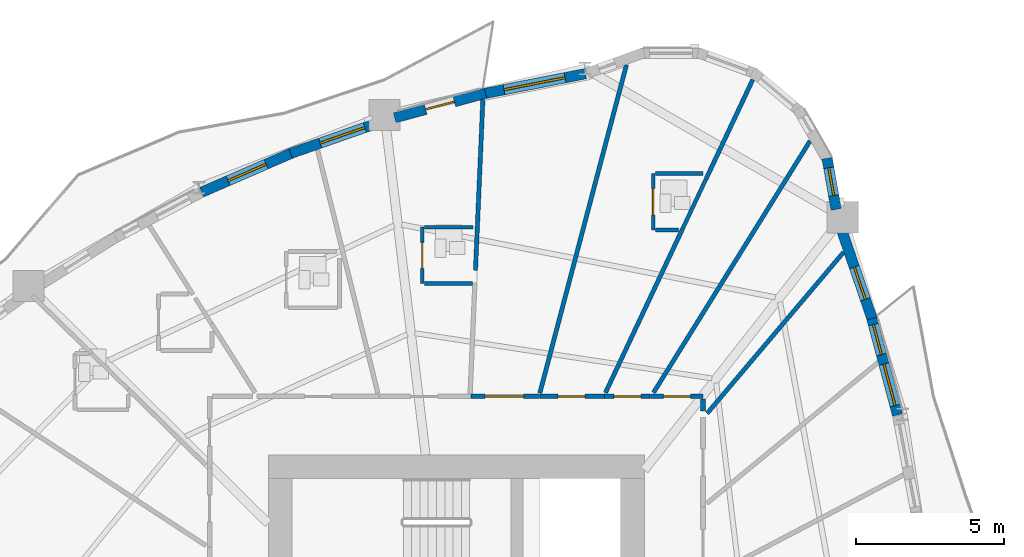
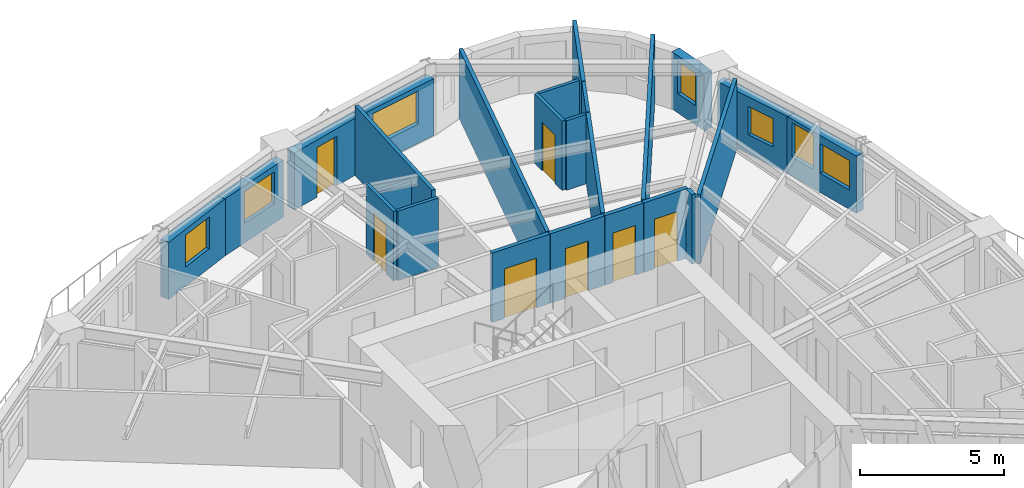
# One storey, part 9 of 14: 25 walls, 7 doors, 7 windows, 14 openings.
"""IFC4 building model written with IfcOpenShell, lengths in metres."""

from ifc_helpers import new_model, si_unit, direction, frame, frame_2d, origin, place, context, subcontext, project, spatial, rectangle, extrude, source, transform, mapped, material, layer, layer_set, type_object, element, fill, save


model = new_model("IFC4")

# Units and contexts
model_context = context("Model", 3, precision=1e-05, world=origin(), true_north=direction((0.0, 1.0)))
body_context = subcontext(model_context, "Body", "Model", "MODEL_VIEW")
ifc_project = project(units=[si_unit("LENGTHUNIT", "METRE"), si_unit("AREAUNIT", "SQUARE_METRE"), si_unit("VOLUMEUNIT", "CUBIC_METRE"), si_unit("PLANEANGLEUNIT", "RADIAN"), si_unit("MASSUNIT", "GRAM", prefix="KILO")], contexts=[model_context])

# Site, building, storey
site_placement = place(None, origin())
site = spatial("IfcSite", under=ifc_project, at=site_placement, CompositionType="ELEMENT")
building_placement = place(site_placement, origin())
building = spatial("IfcBuilding", under=site, at=building_placement, Name="Qafzar Sky-Pleat Residences", CompositionType="ELEMENT")
storey_placement = place(building_placement, frame((0.0, 0.0, 14.199951171875)))
storey = spatial("IfcBuildingStorey", under=building, at=storey_placement, Name="L03", CompositionType="ELEMENT", Elevation=14.199951171875)

# Wall, opening, door
ifc_material_1 = material(Name="Acoustic gypsum plasterboard partition", Category="gypsum")
ifc_layer_1 = layer(ifc_material_1, 0.159912109375)
ifc_layer_set_1 = layer_set([ifc_layer_1], Name="Acoustic gypsum plasterboard partition")
wall_type_1 = type_object("IfcWallType", Name="PART-COR-160", PredefinedType="PARTITIONING", material=ifc_layer_set_1)
wall_1_placement = place(storey_placement, frame((30.841064453125, 36.580078125, 0.0), z_axis=(0.0, 0.0, 1.0), x_axis=(1.0, 0.0, 0.0)))
wall_1 = element("IfcWall", 1, at=wall_1_placement, inside=storey, type_object=wall_type_1, Name="L03 Partition Wall PART-L03-PW-018", PredefinedType="PARTITIONING", context=body_context, shape_type="SweptSolid", body=[
    extrude(rectangle(XDim=2.31591796875, YDim=0.159912109375, at=frame_2d((1.157958984375, 0.0))), origin(), (0.0, 0.0, 1.0), 2.93994140625),
])
opening_1_placement = place(wall_1_placement, frame((0.485107421875, 0.0, 0.0)))
opening_1 = element("IfcOpeningElement", 2, at=opening_1_placement, cuts=wall_1, Name="Opening ID-05", PredefinedType="OPENING", context=body_context, shape_type="SweptSolid", body=[
    extrude(rectangle(XDim=1.300048828125, YDim=2.10009765625, at=frame_2d((0.64990234375, 1.050048828125))), frame((0.0, 0.08984375, 0.0), z_axis=(0.0, -1.0, 0.0), x_axis=(1.0, 0.0, 0.0)), (0.0, 0.0, 1.0), 0.179931640625),
])
ifc_material_2 = material(Name="Timber-faced fire door", Category="wood")
door_type_1 = type_object("IfcDoorType", Name="DR-LNG-1300", OperationType="DOUBLE_DOOR_SINGLE_SWING", PredefinedType="DOOR", material=ifc_material_2)
shared_shape_1 = source(origin(), body_context, "Body", "SweptSolid", [
    extrude(rectangle(XDim=1.300048828125, YDim=2.10009765625, at=frame_2d((0.64990234375, 1.050048828125))), frame((0.0, 0.02490234375, 0.0), z_axis=(0.0, -1.0, 0.0), x_axis=(1.0, 0.0, 0.0)), (0.0, 0.0, 1.0), 0.050048828125),
])
door_1_placement = place(opening_1_placement, origin())
door_1 = element("IfcDoor", 3, at=door_1_placement, inside=storey, type_object=door_type_1, Name="L03 Communal Kitchen Door", OperationType="DOUBLE_DOOR_SINGLE_SWING", OverallHeight=2.10009765625, OverallWidth=1.300048828125, PredefinedType="DOOR", context=body_context, shape_type="MappedRepresentation", body=[
    mapped(shared_shape_1, transform((0.0, 0.0, 0.0), x_axis=(1.0, 0.0, 0.0), y_axis=(0.0, 1.0, 0.0), z_axis=(0.0, 0.0, 1.0), scale=1.0)),
])
fill(opening_1, door_1)

wall_2_placement = place(storey_placement, frame((33.172119140625, 36.580078125, 0.0), z_axis=(0.0, 0.0, 1.0), x_axis=(1.0, 0.0, 0.0)))
wall_2 = element("IfcWall", 4, at=wall_2_placement, inside=storey, type_object=wall_type_1, Name="L03 Partition Wall PART-L03-PW-020", PredefinedType="PARTITIONING", context=body_context, shape_type="SweptSolid", body=[
    extrude(rectangle(XDim=2.1728515625, YDim=0.159912109375, at=frame_2d((1.08642578125, 0.0))), origin(), (0.0, 0.0, 1.0), 2.93994140625),
])
opening_2_placement = place(wall_2_placement, frame((0.60302734375, 0.0, 0.0)))
opening_2 = element("IfcOpeningElement", 5, at=opening_2_placement, cuts=wall_2, Name="Opening ID-04", PredefinedType="OPENING", context=body_context, shape_type="SweptSolid", body=[
    extrude(rectangle(XDim=0.919921875, YDim=2.10009765625, at=frame_2d((0.4599609375, 1.050048828125))), frame((0.0, 0.08984375, 0.0), z_axis=(0.0, -1.0, 0.0), x_axis=(1.0, 0.0, 0.0)), (0.0, 0.0, 1.0), 0.179931640625),
])
door_type_2 = type_object("IfcDoorType", Name="DR-BED-920", OperationType="NOTDEFINED", PredefinedType="DOOR", material=ifc_material_2)
shared_shape_2 = source(origin(), body_context, "Body", "SweptSolid", [
    extrude(rectangle(XDim=0.919921875, YDim=2.10009765625, at=frame_2d((0.4599609375, 1.050048828125))), frame((0.0, 0.02490234375, 0.0), z_axis=(0.0, -1.0, 0.0), x_axis=(1.0, 0.0, 0.0)), (0.0, 0.0, 1.0), 0.050048828125),
])
door_2_placement = place(opening_2_placement, origin())
door_2 = element("IfcDoor", 6, at=door_2_placement, inside=storey, type_object=door_type_2, Name="L03 Co-Living Bedroom 7 Door", OperationType="SINGLE_SWING_RIGHT", OverallHeight=2.10009765625, OverallWidth=0.919921875, PredefinedType="DOOR", context=body_context, shape_type="MappedRepresentation", body=[
    mapped(shared_shape_2, transform((0.0, 0.0, 0.0), x_axis=(1.0, 0.0, 0.0), y_axis=(0.0, 1.0, 0.0), z_axis=(0.0, 0.0, 1.0), scale=1.0)),
])
fill(opening_2, door_2)

wall_3_placement = place(storey_placement, frame((36.9130859375, 36.580078125, 0.0), z_axis=(0.0, 0.0, 1.0), x_axis=(1.0, 0.0, 0.0)))
wall_3 = element("IfcWall", 7, at=wall_3_placement, inside=storey, type_object=wall_type_1, Name="L03 Partition Wall PART-L03-PW-036", PredefinedType="PARTITIONING", context=body_context, shape_type="SweptSolid", body=[
    extrude(rectangle(XDim=1.766845703125, YDim=0.159912109375, at=frame_2d((0.88330078125, 0.0))), origin(), (0.0, 0.0, 1.0), 2.93994140625),
])
opening_3_placement = place(wall_3_placement, frame((0.4326171875, 0.0, 0.0)))
opening_3 = element("IfcOpeningElement", 8, at=opening_3_placement, cuts=wall_3, Name="Opening ID-04", PredefinedType="OPENING", context=body_context, shape_type="SweptSolid", body=[
    extrude(rectangle(XDim=0.919921875, YDim=2.10009765625, at=frame_2d((0.4599609375, 1.050048828125))), frame((0.0, 0.08984375, 0.0), z_axis=(0.0, -1.0, 0.0), x_axis=(1.0, 0.0, 0.0)), (0.0, 0.0, 1.0), 0.179931640625),
])
door_3_placement = place(opening_3_placement, origin())
door_3 = element("IfcDoor", 9, at=door_3_placement, inside=storey, type_object=door_type_2, Name="L03 Co-Living Bedroom 6 Door", OperationType="SINGLE_SWING_RIGHT", OverallHeight=2.10009765625, OverallWidth=0.919921875, PredefinedType="DOOR", context=body_context, shape_type="MappedRepresentation", body=[
    mapped(shared_shape_2, transform((0.0, 0.0, 0.0), x_axis=(1.0, 0.0, 0.0), y_axis=(0.0, 1.0, 0.0), z_axis=(0.0, 0.0, 1.0), scale=1.0)),
])
fill(opening_3, door_3)

wall_4_placement = place(storey_placement, frame((35.360107421875, 36.580078125, 0.0), z_axis=(0.0, 0.0, 1.0), x_axis=(1.0, 0.0, 0.0)))
wall_4 = element("IfcWall", 10, at=wall_4_placement, inside=storey, type_object=wall_type_1, Name="L03 Partition Wall PART-L03-PW-038", PredefinedType="PARTITIONING", context=body_context, shape_type="SweptSolid", body=[
    extrude(rectangle(XDim=1.537841796875, YDim=0.159912109375, at=frame_2d((0.76904296875, 0.0))), origin(), (0.0, 0.0, 1.0), 2.93994140625),
])
opening_4_placement = place(wall_4_placement, frame((0.31005859375, 0.0, 0.0)))
opening_4 = element("IfcOpeningElement", 11, at=opening_4_placement, cuts=wall_4, Name="Opening ID-04", PredefinedType="OPENING", context=body_context, shape_type="SweptSolid", body=[
    extrude(rectangle(XDim=0.919921875, YDim=2.10009765625, at=frame_2d((0.4599609375, 1.050048828125))), frame((0.0, 0.08984375, 0.0), z_axis=(0.0, -1.0, 0.0), x_axis=(1.0, 0.0, 0.0)), (0.0, 0.0, 1.0), 0.179931640625),
])
door_4_placement = place(opening_4_placement, origin())
door_4 = element("IfcDoor", 12, at=door_4_placement, inside=storey, type_object=door_type_2, Name="L03 Co-Living Bedroom 5 Door", OperationType="SINGLE_SWING_RIGHT", OverallHeight=2.10009765625, OverallWidth=0.919921875, PredefinedType="DOOR", context=body_context, shape_type="MappedRepresentation", body=[
    mapped(shared_shape_2, transform((0.0, 0.0, 0.0), x_axis=(1.0, 0.0, 0.0), y_axis=(0.0, 1.0, 0.0), z_axis=(0.0, 0.0, 1.0), scale=1.0)),
])
fill(opening_4, door_4)

# Walls
wall_5_placement = place(storey_placement, frame((38.679931640625, 36.091796875, 0.0), z_axis=(0.0, 0.0, 1.0), x_axis=(0.0, 1.0, 0.0)))
element("IfcWall", 13, at=wall_5_placement, inside=storey, type_object=wall_type_1, Name="L03 Partition Wall PART-L03-PW-114", PredefinedType="PARTITIONING", context=body_context, shape_type="SweptSolid", body=[
    extrude(rectangle(XDim=0.400146484375, YDim=0.159912109375, at=frame_2d((0.2001953125, 0.0))), origin(), (0.0, 0.0, 1.0), 2.93994140625),
])
ifc_layer_2 = layer(ifc_material_1, 0.14501953125)
ifc_layer_set_2 = layer_set([ifc_layer_2], Name="Acoustic gypsum plasterboard partition")
wall_type_2 = type_object("IfcWallType", Name="PART-UNIT-145", PredefinedType="PARTITIONING", material=ifc_layer_set_2)
wall_6_placement = place(storey_placement, frame((33.1689453125, 36.686279296875, 0.0), z_axis=(0.0, 0.0, 1.0), x_axis=(0.255112522394, 0.966911371801, 0.0)))
element("IfcWall", 14, at=wall_6_placement, inside=storey, type_object=wall_type_2, Name="L03 Partition Wall PART-L03-PW-040", PredefinedType="PARTITIONING", context=body_context, shape_type="SweptSolid", body=[
    extrude(rectangle(XDim=11.468505859375, YDim=0.14501953125, at=frame_2d((5.734375, 0.0))), origin(), (0.0, 0.0, 1.0), 2.93994140625),
])
wall_7_placement = place(storey_placement, frame((37.0087890625, 36.705078125, 0.0), z_axis=(0.0, 0.0, 1.0), x_axis=(0.528183829193, 0.849130050451, 0.0)))
element("IfcWall", 15, at=wall_7_placement, inside=storey, type_object=wall_type_2, Name="L03 Partition Wall PART-L03-PW-044", PredefinedType="PARTITIONING", context=body_context, shape_type="SweptSolid", body=[
    extrude(rectangle(XDim=10.00537109375, YDim=0.14501953125, at=frame_2d((5.002685546875, 0.0))), origin(), (0.0, 0.0, 1.0), 2.93994140625),
])
wall_8_placement = place(storey_placement, frame((38.820556640625, 36.0048828125, 0.0), z_axis=(0.0, 0.0, 1.0), x_axis=(0.646174151972, 0.76318999294, 0.0)))
element("IfcWall", 16, at=wall_8_placement, inside=storey, type_object=wall_type_2, Name="L03 Partition Wall PART-L03-PW-052", PredefinedType="PARTITIONING", context=body_context, shape_type="SweptSolid", body=[
    extrude(rectangle(XDim=7.125, YDim=0.14501953125, at=frame_2d((3.5625, 0.0))), origin(), (0.0, 0.0, 1.0), 2.93994140625),
])
wall_9_placement = place(storey_placement, frame((35.384521484375, 36.697998046875, 0.0), z_axis=(0.0, 0.0, 1.0), x_axis=(0.425687116038, 0.904870421242, 0.0)))
element("IfcWall", 17, at=wall_9_placement, inside=storey, type_object=wall_type_2, Name="L03 Partition Wall PART-L03-PW-053", PredefinedType="PARTITIONING", context=body_context, shape_type="SweptSolid", body=[
    extrude(rectangle(XDim=6.09716796875, YDim=0.14501953125, at=frame_2d((3.048583984375, 0.0))), origin(), (0.0, 0.0, 1.0), 2.93994140625),
])
wall_10_placement = place(storey_placement, frame((30.99609375, 40.8359375, 0.0), z_axis=(0.0, 0.0, 1.0), x_axis=(0.043354544378, 0.999059749706, 0.0)))
element("IfcWall", 18, at=wall_10_placement, inside=storey, type_object=wall_type_2, Name="L03 Partition Wall PART-L03-PW-055", PredefinedType="PARTITIONING", context=body_context, shape_type="SweptSolid", body=[
    extrude(rectangle(XDim=5.766357421875, YDim=0.14501953125, at=frame_2d((2.88330078125, 0.0))), origin(), (0.0, 0.0, 1.0), 2.93994140625),
])
wall_11_placement = place(storey_placement, frame((38.782958984375, 43.9208984375, 0.0), z_axis=(0.0, 0.0, 1.0), x_axis=(0.425698730146, 0.904864957412, 0.0)))
element("IfcWall", 19, at=wall_11_placement, inside=storey, type_object=wall_type_2, Name="L03 Partition Wall PART-L03-PW-063", PredefinedType="PARTITIONING", context=body_context, shape_type="SweptSolid", body=[
    extrude(rectangle(XDim=3.707763671875, YDim=0.14501953125, at=frame_2d((1.85400390625, 0.0))), origin(), (0.0, 0.0, 1.0), 2.93994140625),
])

# Wall, opening, door
ifc_material_3 = material(Name="Moisture-resistant gypsum partition", Category="gypsum")
ifc_layer_3 = layer(ifc_material_3, 0.1298828125)
ifc_layer_set_3 = layer_set([ifc_layer_3], Name="Moisture-resistant gypsum partition")
wall_type_3 = type_object("IfcWallType", Name="PART-WET-130", PredefinedType="PARTITIONING", material=ifc_layer_set_3)
wall_12_placement = place(storey_placement, frame((36.998046875, 44.10009765625, 0.0), z_axis=(0.0, 0.0, 1.0), x_axis=(0.0, -1.0, 0.0)))
wall_12 = element("IfcWall", 20, at=wall_12_placement, inside=storey, type_object=wall_type_3, Name="L03 Partition Wall PART-L03-PW-027", PredefinedType="PARTITIONING", context=body_context, shape_type="SweptSolid", body=[
    extrude(rectangle(XDim=1.900146484375, YDim=0.1298828125, at=frame_2d((0.9501953125, 0.0))), origin(), (0.0, 0.0, 1.0), 2.93994140625),
])
opening_5_placement = place(wall_12_placement, frame((0.510009765625, 0.0, 0.0)))
opening_5 = element("IfcOpeningElement", 21, at=opening_5_placement, cuts=wall_12, Name="Opening ID-07", PredefinedType="OPENING", context=body_context, shape_type="SweptSolid", body=[
    extrude(rectangle(XDim=0.8798828125, YDim=2.050048828125, at=frame_2d((0.43994140625, 1.02490234375))), frame((0.0, 0.074951171875, 0.0), z_axis=(0.0, -1.0, 0.0), x_axis=(1.0, 0.0, 0.0)), (0.0, 0.0, 1.0), 0.14990234375),
])
door_type_3 = type_object("IfcDoorType", Name="DR-WET-880", OperationType="NOTDEFINED", PredefinedType="DOOR", material=ifc_material_2)
shared_shape_3 = source(origin(), body_context, "Body", "SweptSolid", [
    extrude(rectangle(XDim=0.8798828125, YDim=2.050048828125, at=frame_2d((0.43994140625, 1.02490234375))), frame((0.0, 0.02490234375, 0.0), z_axis=(0.0, -1.0, 0.0), x_axis=(1.0, 0.0, 0.0)), (0.0, 0.0, 1.0), 0.050048828125),
])
door_5_placement = place(opening_5_placement, origin())
door_5 = element("IfcDoor", 22, at=door_5_placement, inside=storey, type_object=door_type_3, Name="L03 En-suite Bathroom 7 Door", OperationType="SINGLE_SWING_LEFT", OverallHeight=2.050048828125, OverallWidth=0.8798828125, PredefinedType="DOOR", context=body_context, shape_type="MappedRepresentation", body=[
    mapped(shared_shape_3, transform((0.0, 0.0, 0.0), x_axis=(1.0, 0.0, 0.0), y_axis=(0.0, 1.0, 0.0), z_axis=(0.0, 0.0, 1.0), scale=1.0)),
])
fill(opening_5, door_5)

wall_13_placement = place(storey_placement, frame((29.198974609375, 42.2919921875, 0.0), z_axis=(0.0, 0.0, 1.0), x_axis=(0.0, -1.0, 0.0)))
wall_13 = element("IfcWall", 23, at=wall_13_placement, inside=storey, type_object=wall_type_3, Name="L03 Partition Wall PART-L03-PW-028", PredefinedType="PARTITIONING", context=body_context, shape_type="SweptSolid", body=[
    extrude(rectangle(XDim=1.89990234375, YDim=0.1298828125, at=frame_2d((0.949951171875, 0.0))), origin(), (0.0, 0.0, 1.0), 2.93994140625),
])
opening_6_placement = place(wall_13_placement, frame((0.510009765625, 0.0, 0.0)))
opening_6 = element("IfcOpeningElement", 24, at=opening_6_placement, cuts=wall_13, Name="Opening ID-07", PredefinedType="OPENING", context=body_context, shape_type="SweptSolid", body=[
    extrude(rectangle(XDim=0.8798828125, YDim=2.050048828125, at=frame_2d((0.43994140625, 1.02490234375))), frame((0.0, 0.074951171875, 0.0), z_axis=(0.0, -1.0, 0.0), x_axis=(1.0, 0.0, 0.0)), (0.0, 0.0, 1.0), 0.14990234375),
])
door_6_placement = place(opening_6_placement, origin())
door_6 = element("IfcDoor", 25, at=door_6_placement, inside=storey, type_object=door_type_3, Name="L03 En-suite Bathroom 8 Door", OperationType="SINGLE_SWING_RIGHT", OverallHeight=2.050048828125, OverallWidth=0.8798828125, PredefinedType="DOOR", context=body_context, shape_type="MappedRepresentation", body=[
    mapped(shared_shape_3, transform((0.0, 0.0, 0.0), x_axis=(1.0, 0.0, 0.0), y_axis=(0.0, 1.0, 0.0), z_axis=(0.0, 0.0, 1.0), scale=1.0)),
])
fill(opening_6, door_6)

# Walls
wall_14_placement = place(storey_placement, frame((37.986572265625, 42.228515625, 0.0), z_axis=(0.0, 0.0, 1.0), x_axis=(0.425771690569, 0.904830629184, 0.0)))
element("IfcWall", 26, at=wall_14_placement, inside=storey, type_object=wall_type_3, Name="L03 Partition Wall PART-L03-PW-077", PredefinedType="PARTITIONING", context=body_context, shape_type="SweptSolid", body=[
    extrude(rectangle(XDim=1.85546875, YDim=0.1298828125, at=frame_2d((0.927734375, 0.0))), origin(), (0.0, 0.0, 1.0), 2.93994140625),
])
wall_15_placement = place(storey_placement, frame((37.071044921875, 44.10009765625, 0.0), z_axis=(0.0, 0.0, 1.0), x_axis=(1.0, 0.0, 0.0)))
element("IfcWall", 27, at=wall_15_placement, inside=storey, type_object=wall_type_3, Name="L03 Partition Wall PART-L03-PW-080", PredefinedType="PARTITIONING", context=body_context, shape_type="SweptSolid", body=[
    extrude(rectangle(XDim=1.608154296875, YDim=0.1298828125, at=frame_2d((0.80419921875, 0.0))), origin(), (0.0, 0.0, 1.0), 2.93994140625),
])
wall_16_placement = place(storey_placement, frame((29.27197265625, 42.2919921875, 0.0), z_axis=(0.0, 0.0, 1.0), x_axis=(1.0, 0.0, 0.0)))
element("IfcWall", 28, at=wall_16_placement, inside=storey, type_object=wall_type_3, Name="L03 Partition Wall PART-L03-PW-086", PredefinedType="PARTITIONING", context=body_context, shape_type="SweptSolid", body=[
    extrude(rectangle(XDim=1.6435546875, YDim=0.1298828125, at=frame_2d((0.82177734375, 0.0))), origin(), (0.0, 0.0, 1.0), 2.508056640625),
])
wall_17_placement = place(storey_placement, frame((29.27197265625, 40.39208984375, 0.0), z_axis=(0.0, 0.0, 1.0), x_axis=(1.0, 0.0, 0.0)))
element("IfcWall", 29, at=wall_17_placement, inside=storey, type_object=wall_type_3, Name="L03 Partition Wall PART-L03-PW-092", PredefinedType="PARTITIONING", context=body_context, shape_type="SweptSolid", body=[
    extrude(rectangle(XDim=1.62060546875, YDim=0.1298828125, at=frame_2d((0.810302734375, 0.0))), origin(), (0.0, 0.0, 1.0), 2.93994140625),
])
wall_18_placement = place(storey_placement, frame((37.071044921875, 42.199951171875, 0.0), z_axis=(0.0, 0.0, 1.0), x_axis=(1.0, 0.0, 0.0)))
element("IfcWall", 30, at=wall_18_placement, inside=storey, type_object=wall_type_3, Name="L03 Partition Wall PART-L03-PW-109", PredefinedType="PARTITIONING", context=body_context, shape_type="SweptSolid", body=[
    extrude(rectangle(XDim=0.783203125, YDim=0.1298828125, at=frame_2d((0.3916015625, 0.0))), origin(), (0.0, 0.0, 1.0), 2.93994140625),
])

# Wall, openings, windows
ifc_material_4 = material(Name="Precast concrete C40/50 with honed Riyadh limestone", Category="concrete")
ifc_layer_4 = layer(ifc_material_4, 0.35009765625)
ifc_layer_set_4 = layer_set([ifc_layer_4], Name="Precast concrete C40/50 with honed Riyadh limestone")
wall_type_4 = type_object("IfcWallType", Name="WALL-EXT-350", PredefinedType="SOLIDWALL", material=ifc_layer_set_4)
wall_19_placement = place(storey_placement, frame((45.24755859375, 35.950927734375, 0.0), z_axis=(0.0, 0.0, 1.0), x_axis=(-0.25703883136, 0.966401075731, 0.0)))
wall_19 = element("IfcWall", 31, at=wall_19_placement, inside=storey, type_object=wall_type_4, Name="L03 Limestone Facade Wall 31", PredefinedType="SOLIDWALL", context=body_context, shape_type="SweptSolid", body=[
    extrude(rectangle(XDim=3.459228515625, YDim=0.35009765625, at=frame_2d((1.7294921875, 0.0))), origin(), (0.0, 0.0, 1.0), 2.420166015625),
])
opening_7_placement = place(wall_19_placement, frame((0.329345703125, 0.0, 0.820068359375)))
opening_7 = element("IfcOpeningElement", 32, at=opening_7_placement, cuts=wall_19, Name="Opening WN-15", PredefinedType="OPENING", context=body_context, shape_type="SweptSolid", body=[
    extrude(rectangle(XDim=1.449951171875, YDim=1.25, at=frame_2d((0.72509765625, 0.625))), frame((0.0, 0.18505859375, 0.0), z_axis=(0.0, -1.0, 0.0), x_axis=(1.0, 0.0, 0.0)), (0.0, 0.0, 1.0), 0.3701171875),
])
opening_8_placement = place(wall_19_placement, frame((2.109130859375, 0.0, 0.820068359375)))
opening_8 = element("IfcOpeningElement", 33, at=opening_8_placement, cuts=wall_19, Name="Opening WN-06", PredefinedType="OPENING", context=body_context, shape_type="SweptSolid", body=[
    extrude(rectangle(XDim=1.050048828125, YDim=1.449951171875, at=frame_2d((0.52490234375, 0.72509765625))), frame((0.0, 0.18505859375, 0.0), z_axis=(0.0, -1.0, 0.0), x_axis=(1.0, 0.0, 0.0)), (0.0, 0.0, 1.0), 0.3701171875),
])
ifc_material_5 = material(Name="Solar-control low-E glass in bronze aluminium frame", Category="glass")
window_type_1 = type_object("IfcWindowType", Name="WIN-15", PartitioningType="SINGLE_PANEL", PredefinedType="WINDOW", material=ifc_material_5)
shared_shape_4 = source(origin(), body_context, "Body", "SweptSolid", [
    extrude(rectangle(XDim=1.449951171875, YDim=1.25, at=frame_2d((0.72509765625, 0.625))), frame((0.0, 0.030029296875, 0.0), z_axis=(0.0, -1.0, 0.0), x_axis=(1.0, 0.0, 0.0)), (0.0, 0.0, 1.0), 0.06005859375),
])
window_1_placement = place(opening_7_placement, origin())
window_1 = element("IfcWindow", 34, at=window_1_placement, inside=storey, type_object=window_type_1, Name="L03 Punched Facade Window 31", OverallHeight=1.25, OverallWidth=1.449951171875, PartitioningType="SINGLE_PANEL", PredefinedType="WINDOW", context=body_context, shape_type="MappedRepresentation", body=[
    mapped(shared_shape_4, transform((0.0, 0.0, 0.0), x_axis=(1.0, 0.0, 0.0), y_axis=(0.0, 1.0, 0.0), z_axis=(0.0, 0.0, 1.0), scale=1.0)),
])
fill(opening_7, window_1)
window_type_2 = type_object("IfcWindowType", Name="WIN-06", PartitioningType="SINGLE_PANEL", PredefinedType="WINDOW", material=ifc_material_5)
shared_shape_5 = source(origin(), body_context, "Body", "SweptSolid", [
    extrude(rectangle(XDim=1.050048828125, YDim=1.449951171875, at=frame_2d((0.52490234375, 0.72509765625))), frame((0.0, 0.030029296875, 0.0), z_axis=(0.0, -1.0, 0.0), x_axis=(1.0, 0.0, 0.0)), (0.0, 0.0, 1.0), 0.06005859375),
])
window_2_placement = place(opening_8_placement, origin())
window_2 = element("IfcWindow", 35, at=window_2_placement, inside=storey, type_object=window_type_2, Name="L03 Punched Facade Window 31-2", OverallHeight=1.449951171875, OverallWidth=1.050048828125, PartitioningType="SINGLE_PANEL", PredefinedType="WINDOW", context=body_context, shape_type="MappedRepresentation", body=[
    mapped(shared_shape_5, transform((0.0, 0.0, 0.0), x_axis=(1.0, 0.0, 0.0), y_axis=(0.0, 1.0, 0.0), z_axis=(0.0, 0.0, 1.0), scale=1.0)),
])
fill(opening_8, window_2)

# Wall, opening, window
wall_20_placement = place(storey_placement, frame((44.384033203125, 39.209716796875, 0.0), z_axis=(0.0, 0.0, 1.0), x_axis=(-0.323604561993, 0.946192415663, 0.0)))
wall_20 = element("IfcWall", 36, at=wall_20_placement, inside=storey, type_object=wall_type_4, Name="L03 Limestone Facade Wall 32", PredefinedType="SOLIDWALL", context=body_context, shape_type="SweptSolid", body=[
    extrude(rectangle(XDim=3.25244140625, YDim=0.35009765625, at=frame_2d((1.626220703125, 0.0))), origin(), (0.0, 0.0, 1.0), 2.420166015625),
])
opening_9_placement = place(wall_20_placement, frame((0.6826171875, 0.0, 0.820068359375)))
opening_9 = element("IfcOpeningElement", 37, at=opening_9_placement, cuts=wall_20, Name="Opening WN-16", PredefinedType="OPENING", context=body_context, shape_type="SweptSolid", body=[
    extrude(rectangle(XDim=1.14990234375, YDim=1.199951171875, at=frame_2d((0.574951171875, 0.60009765625))), frame((0.0, 0.18505859375, 0.0), z_axis=(0.0, -1.0, 0.0), x_axis=(1.0, 0.0, 0.0)), (0.0, 0.0, 1.0), 0.3701171875),
])
window_type_3 = type_object("IfcWindowType", Name="WIN-16", PartitioningType="SINGLE_PANEL", PredefinedType="WINDOW", material=ifc_material_5)
shared_shape_6 = source(origin(), body_context, "Body", "SweptSolid", [
    extrude(rectangle(XDim=1.14990234375, YDim=1.199951171875, at=frame_2d((0.574951171875, 0.60009765625))), frame((0.0, 0.030029296875, 0.0), z_axis=(0.0, -1.0, 0.0), x_axis=(1.0, 0.0, 0.0)), (0.0, 0.0, 1.0), 0.06005859375),
])
window_3_placement = place(opening_9_placement, origin())
window_3 = element("IfcWindow", 38, at=window_3_placement, inside=storey, type_object=window_type_3, Name="L03 Punched Facade Window 32", OverallHeight=1.199951171875, OverallWidth=1.14990234375, PartitioningType="SINGLE_PANEL", PredefinedType="WINDOW", context=body_context, shape_type="MappedRepresentation", body=[
    mapped(shared_shape_6, transform((0.0, 0.0, 0.0), x_axis=(1.0, 0.0, 0.0), y_axis=(0.0, 1.0, 0.0), z_axis=(0.0, 0.0, 1.0), scale=1.0)),
])
fill(opening_9, window_3)

wall_21_placement = place(storey_placement, frame((43.175537109375, 42.892822265625, 0.0), z_axis=(0.0, 0.0, 1.0), x_axis=(-0.173610462023, 0.984814402553, 0.0)))
wall_21 = element("IfcWall", 39, at=wall_21_placement, inside=storey, type_object=wall_type_4, Name="L03 Limestone Facade Wall 33", PredefinedType="SOLIDWALL", context=body_context, shape_type="SweptSolid", body=[
    extrude(rectangle(XDim=1.752197265625, YDim=0.35009765625, at=frame_2d((0.8759765625, 0.0))), origin(), (0.0, 0.0, 1.0), 2.420166015625),
])
opening_10_placement = place(wall_21_placement, frame((0.476318359375, 0.0, 0.820068359375)))
opening_10 = element("IfcOpeningElement", 40, at=opening_10_placement, cuts=wall_21, Name="Opening WN-12", PredefinedType="OPENING", context=body_context, shape_type="SweptSolid", body=[
    extrude(rectangle(XDim=0.949951171875, YDim=1.35009765625, at=frame_2d((0.47509765625, 0.675048828125))), frame((0.0, 0.18505859375, 0.0), z_axis=(0.0, -1.0, 0.0), x_axis=(1.0, 0.0, 0.0)), (0.0, 0.0, 1.0), 0.3701171875),
])
window_type_4 = type_object("IfcWindowType", Name="WIN-12", PartitioningType="SINGLE_PANEL", PredefinedType="WINDOW", material=ifc_material_5)
shared_shape_7 = source(origin(), body_context, "Body", "SweptSolid", [
    extrude(rectangle(XDim=0.949951171875, YDim=1.35009765625, at=frame_2d((0.47509765625, 0.675048828125))), frame((0.0, 0.030029296875, 0.0), z_axis=(0.0, -1.0, 0.0), x_axis=(1.0, 0.0, 0.0)), (0.0, 0.0, 1.0), 0.06005859375),
])
window_4_placement = place(opening_10_placement, origin())
window_4 = element("IfcWindow", 41, at=window_4_placement, inside=storey, type_object=window_type_4, Name="L03 Punched Facade Window 33", OverallHeight=1.35009765625, OverallWidth=0.949951171875, PartitioningType="SINGLE_PANEL", PredefinedType="WINDOW", context=body_context, shape_type="MappedRepresentation", body=[
    mapped(shared_shape_7, transform((0.0, 0.0, 0.0), x_axis=(1.0, 0.0, 0.0), y_axis=(0.0, 1.0, 0.0), z_axis=(0.0, 0.0, 1.0), scale=1.0)),
])
fill(opening_10, window_4)

wall_22_placement = place(storey_placement, frame((34.714111328125, 47.47509765625, 0.0), z_axis=(0.0, 0.0, 1.0), x_axis=(-0.981221268425, -0.192885516282, 0.0)))
wall_22 = element("IfcWall", 42, at=wall_22_placement, inside=storey, type_object=wall_type_4, Name="L03 Limestone Facade Wall 39", PredefinedType="SOLIDWALL", context=body_context, shape_type="SweptSolid", body=[
    extrude(rectangle(XDim=3.53271484375, YDim=0.35009765625, at=frame_2d((1.766357421875, 0.0))), origin(), (0.0, 0.0, 1.0), 2.420166015625),
])
opening_11_placement = place(wall_22_placement, frame((0.706298828125, 0.0, 0.820068359375)))
opening_11 = element("IfcOpeningElement", 43, at=opening_11_placement, cuts=wall_22, Name="Opening WN-07", PredefinedType="OPENING", context=body_context, shape_type="SweptSolid", body=[
    extrude(rectangle(XDim=2.10009765625, YDim=1.39990234375, at=frame_2d((1.050048828125, 0.699951171875))), frame((0.0, 0.18505859375, 0.0), z_axis=(0.0, -1.0, 0.0), x_axis=(1.0, 0.0, 0.0)), (0.0, 0.0, 1.0), 0.3701171875),
])
window_type_5 = type_object("IfcWindowType", Name="WIN-07", PartitioningType="DOUBLE_PANEL_VERTICAL", PredefinedType="WINDOW", material=ifc_material_5)
shared_shape_8 = source(origin(), body_context, "Body", "SweptSolid", [
    extrude(rectangle(XDim=2.10009765625, YDim=1.39990234375, at=frame_2d((1.050048828125, 0.699951171875))), frame((0.0, 0.030029296875, 0.0), z_axis=(0.0, -1.0, 0.0), x_axis=(1.0, 0.0, 0.0)), (0.0, 0.0, 1.0), 0.06005859375),
])
window_5_placement = place(opening_11_placement, origin())
window_5 = element("IfcWindow", 44, at=window_5_placement, inside=storey, type_object=window_type_5, Name="L03 Punched Facade Window 39", OverallHeight=1.39990234375, OverallWidth=2.10009765625, PartitioningType="SINGLE_PANEL", PredefinedType="WINDOW", context=body_context, shape_type="MappedRepresentation", body=[
    mapped(shared_shape_8, transform((0.0, 0.0, 0.0), x_axis=(1.0, 0.0, 0.0), y_axis=(0.0, 1.0, 0.0), z_axis=(0.0, 0.0, 1.0), scale=1.0)),
])
fill(opening_11, window_5)

# Wall, opening, door
wall_23_placement = place(storey_placement, frame((31.33349609375, 46.813720703125, 0.0), z_axis=(0.0, 0.0, 1.0), x_axis=(-0.965456905924, -0.260562780926, 0.0)))
wall_23 = element("IfcWall", 45, at=wall_23_placement, inside=storey, type_object=wall_type_4, Name="L03 Limestone Facade Wall 40", PredefinedType="SOLIDWALL", context=body_context, shape_type="SweptSolid", body=[
    extrude(rectangle(XDim=3.17919921875, YDim=0.35009765625, at=frame_2d((1.589599609375, 0.0))), origin(), (0.0, 0.0, 1.0), 2.420166015625),
])
opening_12_placement = place(wall_23_placement, frame((1.089599609375, 0.0, 0.0)))
opening_12 = element("IfcOpeningElement", 46, at=opening_12_placement, cuts=wall_23, Name="Opening ED-05", PredefinedType="OPENING", context=body_context, shape_type="SweptSolid", body=[
    extrude(rectangle(XDim=1.0, YDim=2.10009765625, at=frame_2d((0.5, 1.050048828125))), frame((0.0, 0.18505859375, 0.0), z_axis=(0.0, -1.0, 0.0), x_axis=(1.0, 0.0, 0.0)), (0.0, 0.0, 1.0), 0.3701171875),
])
ifc_material_6 = material(Name="Glazed bronze aluminium door", Category="aluminium")
door_type_4 = type_object("IfcDoorType", Name="DR-BAL-1000", OperationType="NOTDEFINED", PredefinedType="DOOR", material=ifc_material_6)
shared_shape_9 = source(origin(), body_context, "Body", "SweptSolid", [
    extrude(rectangle(XDim=1.0, YDim=2.10009765625, at=frame_2d((0.5, 1.050048828125))), frame((0.0, 0.02490234375, 0.0), z_axis=(0.0, -1.0, 0.0), x_axis=(1.0, 0.0, 0.0)), (0.0, 0.0, 1.0), 0.050048828125),
])
door_7_placement = place(opening_12_placement, origin())
door_7 = element("IfcDoor", 47, at=door_7_placement, inside=storey, type_object=door_type_4, Name="L03 Glazed Balcony Door 2", OperationType="SINGLE_SWING_LEFT", OverallHeight=2.10009765625, OverallWidth=1.0, PredefinedType="DOOR", context=body_context, shape_type="MappedRepresentation", body=[
    mapped(shared_shape_9, transform((0.0, 0.0, 0.0), x_axis=(1.0, 0.0, 0.0), y_axis=(0.0, 1.0, 0.0), z_axis=(0.0, 0.0, 1.0), scale=1.0)),
])
fill(opening_12, door_7)

# Wall, opening, window
wall_24_placement = place(storey_placement, frame((27.703369140625, 45.81201171875, 0.0), z_axis=(0.0, 0.0, 1.0), x_axis=(-0.944149283204, -0.329518028377, 0.0)))
wall_24 = element("IfcWall", 48, at=wall_24_placement, inside=storey, type_object=wall_type_4, Name="L03 Limestone Facade Wall 41", PredefinedType="SOLIDWALL", context=body_context, shape_type="SweptSolid", body=[
    extrude(rectangle(XDim=3.122802734375, YDim=0.35009765625, at=frame_2d((1.5615234375, 0.0))), origin(), (0.0, 0.0, 1.0), 2.420166015625),
])
opening_13_placement = place(wall_24_placement, frame((0.467529296875, 0.0, 0.820068359375)))
opening_13 = element("IfcOpeningElement", 49, at=opening_13_placement, cuts=wall_24, Name="Opening WN-09", PredefinedType="OPENING", context=body_context, shape_type="SweptSolid", body=[
    extrude(rectangle(XDim=1.60009765625, YDim=1.35009765625, at=frame_2d((0.800048828125, 0.675048828125))), frame((0.0, 0.18505859375, 0.0), z_axis=(0.0, -1.0, 0.0), x_axis=(1.0, 0.0, 0.0)), (0.0, 0.0, 1.0), 0.3701171875),
])
window_type_6 = type_object("IfcWindowType", Name="WIN-09", PartitioningType="DOUBLE_PANEL_VERTICAL", PredefinedType="WINDOW", material=ifc_material_5)
shared_shape_10 = source(origin(), body_context, "Body", "SweptSolid", [
    extrude(rectangle(XDim=1.60009765625, YDim=1.35009765625, at=frame_2d((0.800048828125, 0.675048828125))), frame((0.0, 0.030029296875, 0.0), z_axis=(0.0, -1.0, 0.0), x_axis=(1.0, 0.0, 0.0)), (0.0, 0.0, 1.0), 0.06005859375),
])
window_6_placement = place(opening_13_placement, origin())
window_6 = element("IfcWindow", 50, at=window_6_placement, inside=storey, type_object=window_type_6, Name="L03 Punched Facade Window 41", OverallHeight=1.35009765625, OverallWidth=1.60009765625, PartitioningType="SINGLE_PANEL", PredefinedType="WINDOW", context=body_context, shape_type="MappedRepresentation", body=[
    mapped(shared_shape_10, transform((0.0, 0.0, 0.0), x_axis=(1.0, 0.0, 0.0), y_axis=(0.0, 1.0, 0.0), z_axis=(0.0, 0.0, 1.0), scale=1.0)),
])
fill(opening_13, window_6)

wall_25_placement = place(storey_placement, frame((24.837646484375, 44.815185546875, 0.0), z_axis=(0.0, 0.0, 1.0), x_axis=(-0.917087357706, -0.398686315712, 0.0)))
wall_25 = element("IfcWall", 51, at=wall_25_placement, inside=storey, type_object=wall_type_4, Name="L03 Limestone Facade Wall 42", PredefinedType="SOLIDWALL", context=body_context, shape_type="SweptSolid", body=[
    extrude(rectangle(XDim=3.364990234375, YDim=0.35009765625, at=frame_2d((1.6826171875, 0.0))), origin(), (0.0, 0.0, 1.0), 2.420166015625),
])
opening_14_placement = place(wall_25_placement, frame((0.992431640625, 0.0, 0.820068359375)))
opening_14 = element("IfcOpeningElement", 52, at=opening_14_placement, cuts=wall_25, Name="Opening WN-10", PredefinedType="OPENING", context=body_context, shape_type="SweptSolid", body=[
    extrude(rectangle(XDim=1.39990234375, YDim=1.35009765625, at=frame_2d((0.699951171875, 0.675048828125))), frame((0.0, 0.18505859375, 0.0), z_axis=(0.0, -1.0, 0.0), x_axis=(1.0, 0.0, 0.0)), (0.0, 0.0, 1.0), 0.3701171875),
])
window_type_7 = type_object("IfcWindowType", Name="WIN-10", PartitioningType="SINGLE_PANEL", PredefinedType="WINDOW", material=ifc_material_5)
shared_shape_11 = source(origin(), body_context, "Body", "SweptSolid", [
    extrude(rectangle(XDim=1.39990234375, YDim=1.35009765625, at=frame_2d((0.699951171875, 0.675048828125))), frame((0.0, 0.030029296875, 0.0), z_axis=(0.0, -1.0, 0.0), x_axis=(1.0, 0.0, 0.0)), (0.0, 0.0, 1.0), 0.06005859375),
])
window_7_placement = place(opening_14_placement, origin())
window_7 = element("IfcWindow", 53, at=window_7_placement, inside=storey, type_object=window_type_7, Name="L03 Punched Facade Window 42", OverallHeight=1.35009765625, OverallWidth=1.39990234375, PartitioningType="SINGLE_PANEL", PredefinedType="WINDOW", context=body_context, shape_type="MappedRepresentation", body=[
    mapped(shared_shape_11, transform((0.0, 0.0, 0.0), x_axis=(1.0, 0.0, 0.0), y_axis=(0.0, 1.0, 0.0), z_axis=(0.0, 0.0, 1.0), scale=1.0)),
])
fill(opening_14, window_7)

save(model, "model.ifc")
